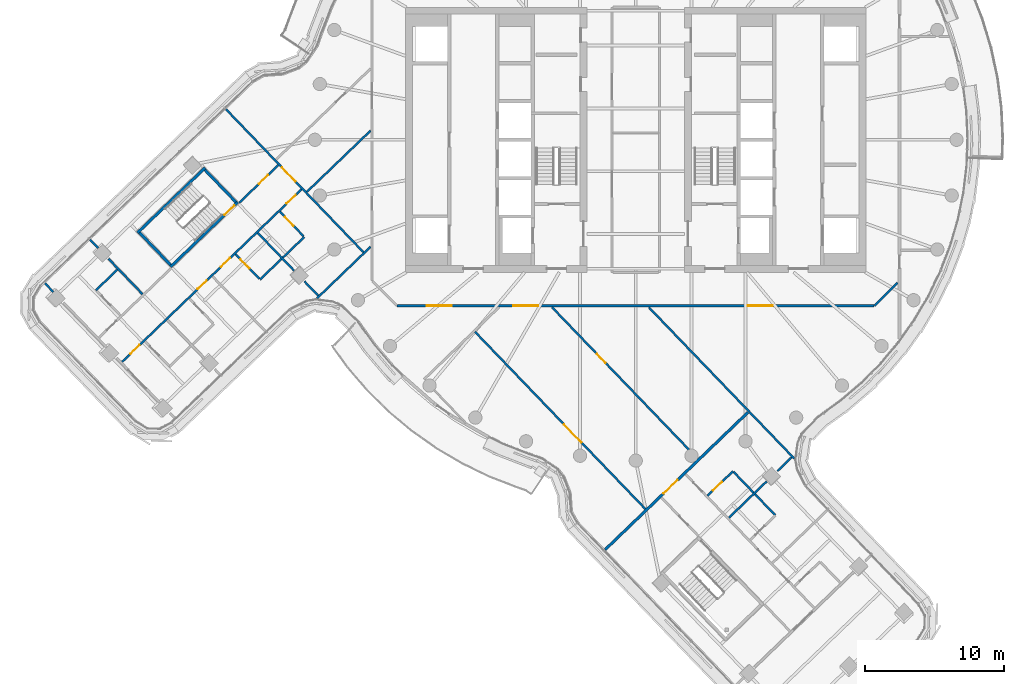
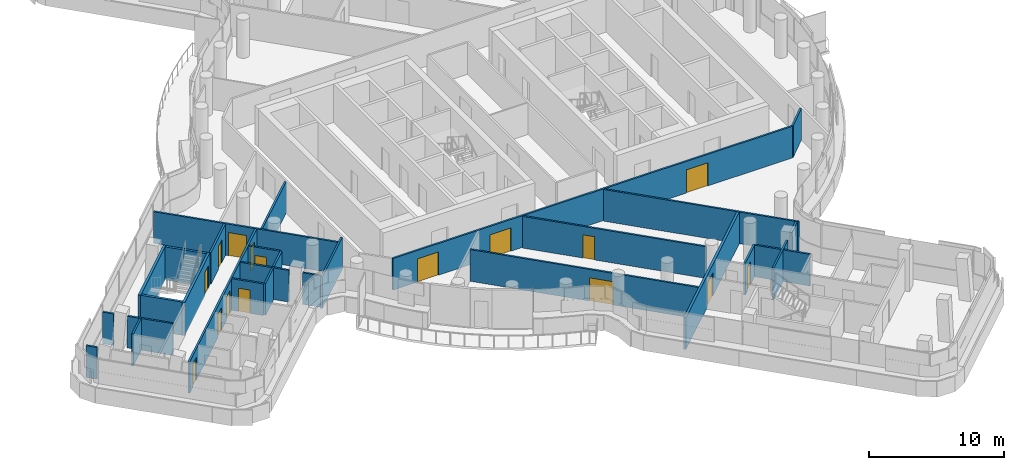
# One storey, part 21 of 34: 28 walls, 16 doors, 16 openings.
"""IFC4 building model written with IfcOpenShell, lengths in metres."""

from ifc_helpers import new_model, si_unit, direction, frame, frame_2d, origin, place, context, subcontext, project, spatial, polyline, rectangle, outline, extrude, material, layer, layer_set, type_object, element, fill, save


model = new_model("IFC4")

# Units and contexts
model_context = context("Model", 3, precision=1e-05, world=origin(), true_north=direction((0.0, 1.0)))
body_context = subcontext(model_context, "Body", "Model", "MODEL_VIEW")
ifc_project = project(units=[si_unit("LENGTHUNIT", "METRE"), si_unit("AREAUNIT", "SQUARE_METRE"), si_unit("VOLUMEUNIT", "CUBIC_METRE"), si_unit("PLANEANGLEUNIT", "RADIAN"), si_unit("MASSUNIT", "GRAM", prefix="KILO")], contexts=[model_context])

# Site, building, storey
site_placement = place(None, origin())
site = spatial("IfcSite", under=ifc_project, at=site_placement, CompositionType="ELEMENT")
building_placement = place(site_placement, origin())
building = spatial("IfcBuilding", under=site, at=building_placement, Name="Tamarind Cross Interchange Tower", CompositionType="ELEMENT")
storey_placement = place(building_placement, frame((0.0, 0.0, 193.300048828125)))
storey = spatial("IfcBuildingStorey", under=building, at=storey_placement, Name="L48", CompositionType="ELEMENT", Elevation=193.300048828125)

# Walls
ifc_material_1 = material(Name="Gypsum board partition on steel studs", Category="steel")
ifc_layer_1 = layer(ifc_material_1, 0.14990234375)
ifc_layer_set_1 = layer_set([ifc_layer_1], Name="Gypsum board partition on steel studs")
wall_type_1 = type_object("IfcWallType", Name="Partition 150 mm EI 120", PredefinedType="PARTITIONING", material=ifc_layer_set_1)
wall_1_placement = place(storey_placement, frame((-42.3564453125, -10.28271484375, 0.0), z_axis=(0.0, 0.0, 1.0), x_axis=(0.693120014491, -0.72082220104, 0.0)))
element("IfcWall", 1, at=wall_1_placement, inside=storey, type_object=wall_type_1, Name="Partition L48-001", PredefinedType="PARTITIONING", context=body_context, shape_type="SweptSolid", body=[
    extrude(rectangle(XDim=0.86376953125, YDim=0.14990234375, at=frame_2d((0.431884765625, 0.0))), origin(), (0.0, 0.0, 1.0), 2.864013671875),
])
wall_2_placement = place(storey_placement, frame((-39.11328125, -7.163818359375, 0.0), z_axis=(0.0, 0.0, 1.0), x_axis=(0.693357168812, -0.720594085777, 0.0)))
element("IfcWall", 2, at=wall_2_placement, inside=storey, type_object=wall_type_1, Name="Partition L48-005", PredefinedType="PARTITIONING", context=body_context, shape_type="SweptSolid", body=[
    extrude(rectangle(XDim=0.82470703125, YDim=0.14990234375, at=frame_2d((0.412353515625, 0.0))), origin(), (0.0, 0.0, 1.0), 2.864013671875),
])
wall_3_placement = place(storey_placement, frame((-37.804443359375, -8.52392578125, 0.0), z_axis=(0.0, 0.0, 1.0), x_axis=(0.693321447919, -0.720628454792, 0.0)))
element("IfcWall", 3, at=wall_3_placement, inside=storey, type_object=wall_type_1, Name="Partition L48-006", PredefinedType="PARTITIONING", context=body_context, shape_type="SweptSolid", body=[
    extrude(rectangle(XDim=3.531494140625, YDim=0.14990234375, at=frame_2d((1.765625, 0.0))), origin(), (0.0, 0.0, 1.0), 2.864013671875),
])

# Wall, opening, door
wall_4_placement = place(storey_placement, frame((-29.382568359375, 2.1943359375, 0.0), z_axis=(0.0, 0.0, 1.0), x_axis=(0.693158469728, -0.720785221716, 0.0)))
wall_4 = element("IfcWall", 4, at=wall_4_placement, inside=storey, type_object=wall_type_1, Name="Partition L48-013", PredefinedType="PARTITIONING", context=body_context, shape_type="SweptSolid", body=[
    extrude(rectangle(XDim=14.218994140625, YDim=0.14990234375, at=frame_2d((7.109375, 0.0))), origin(), (0.0, 0.0, 1.0), 2.864013671875),
])
opening_1_placement = place(wall_4_placement, frame((5.798583984375, 0.0, 0.0)))
opening_1 = element("IfcOpeningElement", 5, at=opening_1_placement, cuts=wall_4, Name="Opening D05", PredefinedType="OPENING", context=body_context, shape_type="SweptSolid", body=[
    extrude(rectangle(XDim=1.39990234375, YDim=2.10009765625, at=frame_2d((0.699951171875, 1.050048828125))), frame((0.0, 0.0849609375, 0.0), z_axis=(0.0, -1.0, 0.0), x_axis=(1.0, 0.0, 0.0)), (0.0, 0.0, 1.0), 0.169921875),
])
ifc_material_2 = material(Name="Fire-resisting door set")
door_type_1 = type_object("IfcDoorType", Name="Interior door 1400 x 2100 FD60S", OperationType="DOUBLE_DOOR_SINGLE_SWING", PredefinedType="DOOR", material=ifc_material_2)
door_1_placement = place(opening_1_placement, origin())
door_1 = element("IfcDoor", 6, at=door_1_placement, inside=storey, type_object=door_type_1, Name="Door D05", OperationType="DOUBLE_DOOR_SINGLE_SWING", OverallHeight=2.10009765625, OverallWidth=1.39990234375, PredefinedType="DOOR", context=body_context, shape_type="SweptSolid", body=[
    extrude(rectangle(XDim=1.39990234375, YDim=2.10009765625, at=frame_2d((0.699951171875, 1.050048828125))), frame((0.0, 0.02490234375, 0.0), z_axis=(0.0, -1.0, 0.0), x_axis=(1.0, 0.0, 0.0)), (0.0, 0.0, 1.0), 0.050048828125),
])
fill(opening_1, door_1)

wall_5_placement = place(storey_placement, frame((-28.6806640625, -8.20068359375, 0.0), z_axis=(0.0, 0.0, 1.0), x_axis=(0.69314064678, -0.720802361109, 0.0)))
wall_5 = element("IfcWall", 7, at=wall_5_placement, inside=storey, type_object=wall_type_1, Name="Partition L48-014", PredefinedType="PARTITIONING", context=body_context, shape_type="SweptSolid", body=[
    extrude(rectangle(XDim=2.44482421875, YDim=0.14990234375, at=frame_2d((1.222412109375, 0.0))), origin(), (0.0, 0.0, 1.0), 2.864013671875),
])
opening_2_placement = place(wall_5_placement, frame((0.52001953125, 0.0, 0.0)))
opening_2 = element("IfcOpeningElement", 8, at=opening_2_placement, cuts=wall_5, Name="Opening D06", PredefinedType="OPENING", context=body_context, shape_type="SweptSolid", body=[
    extrude(rectangle(XDim=0.89990234375, YDim=2.10009765625, at=frame_2d((0.449951171875, 1.050048828125))), frame((0.0, 0.0849609375, 0.0), z_axis=(0.0, -1.0, 0.0), x_axis=(1.0, 0.0, 0.0)), (0.0, 0.0, 1.0), 0.169921875),
])
door_type_2 = type_object("IfcDoorType", Name="Interior door 900 x 2100 FD60S", OperationType="SINGLE_SWING_LEFT", PredefinedType="DOOR", material=ifc_material_2)
door_2_placement = place(opening_2_placement, origin())
door_2 = element("IfcDoor", 9, at=door_2_placement, inside=storey, type_object=door_type_2, Name="Door D06", OperationType="SINGLE_SWING_RIGHT", OverallHeight=2.10009765625, OverallWidth=0.89990234375, PredefinedType="DOOR", context=body_context, shape_type="SweptSolid", body=[
    extrude(rectangle(XDim=0.89990234375, YDim=2.10009765625, at=frame_2d((0.449951171875, 1.050048828125))), frame((0.0, 0.02490234375, 0.0), z_axis=(0.0, -1.0, 0.0), x_axis=(1.0, 0.0, 0.0)), (0.0, 0.0, 1.0), 0.050048828125),
])
fill(opening_2, door_2)

# Walls
wall_6_placement = place(storey_placement, frame((-27.095458984375, -6.67578125, 0.0), z_axis=(0.0, 0.0, 1.0), x_axis=(0.693325101577, -0.720624939565, 0.0)))
element("IfcWall", 10, at=wall_6_placement, inside=storey, type_object=wall_type_1, Name="Partition L48-015", PredefinedType="PARTITIONING", context=body_context, shape_type="SweptSolid", body=[
    extrude(rectangle(XDim=3.764892578125, YDim=0.14990234375, at=frame_2d((1.88232421875, 0.0))), origin(), (0.0, 0.0, 1.0), 2.864013671875),
])
wall_7_placement = place(storey_placement, frame((-23.748291015625, -10.15478515625, 0.0), z_axis=(0.0, 0.0, 1.0), x_axis=(0.693409155662, -0.720544060308, 0.0)))
element("IfcWall", 11, at=wall_7_placement, inside=storey, type_object=wall_type_1, Name="Partition L48-016", PredefinedType="PARTITIONING", context=body_context, shape_type="SweptSolid", body=[
    extrude(rectangle(XDim=1.41259765625, YDim=0.14990234375, at=frame_2d((0.706298828125, 0.0))), origin(), (0.0, 0.0, 1.0), 2.864013671875),
])

# Wall, opening, door
wall_8_placement = place(storey_placement, frame((-25.509521484375, -5.150634765625, 0.0), z_axis=(0.0, 0.0, 1.0), x_axis=(0.69314064678, -0.720802361109, 0.0)))
wall_8 = element("IfcWall", 12, at=wall_8_placement, inside=storey, type_object=wall_type_1, Name="Partition L48-017", PredefinedType="PARTITIONING", context=body_context, shape_type="SweptSolid", body=[
    extrude(rectangle(XDim=2.44482421875, YDim=0.14990234375, at=frame_2d((1.222412109375, 0.0))), origin(), (0.0, 0.0, 1.0), 2.864013671875),
])
opening_3_placement = place(wall_8_placement, frame((0.52001953125, 0.0, 0.0)))
opening_3 = element("IfcOpeningElement", 13, at=opening_3_placement, cuts=wall_8, Name="Opening D07", PredefinedType="OPENING", context=body_context, shape_type="SweptSolid", body=[
    extrude(rectangle(XDim=0.89990234375, YDim=2.10009765625, at=frame_2d((0.449951171875, 1.050048828125))), frame((0.0, 0.0849609375, 0.0), z_axis=(0.0, -1.0, 0.0), x_axis=(1.0, 0.0, 0.0)), (0.0, 0.0, 1.0), 0.169921875),
])
door_3_placement = place(opening_3_placement, frame((0.89990234375, 0.0, 0.0), z_axis=(0.0, 0.0, 1.0), x_axis=(-1.0, 0.0, 0.0)))
door_3 = element("IfcDoor", 14, at=door_3_placement, inside=storey, type_object=door_type_2, Name="Door D07", OperationType="SINGLE_SWING_LEFT", OverallHeight=2.10009765625, OverallWidth=0.89990234375, PredefinedType="DOOR", context=body_context, shape_type="SweptSolid", body=[
    extrude(rectangle(XDim=0.89990234375, YDim=2.10009765625, at=frame_2d((0.449951171875, 1.050048828125))), frame((0.0, 0.02490234375, 0.0), z_axis=(0.0, -1.0, 0.0), x_axis=(1.0, 0.0, 0.0)), (0.0, 0.0, 1.0), 0.050048828125),
])
fill(opening_3, door_3)

wall_9_placement = place(storey_placement, frame((-11.5224609375, -13.768798828125, 0.0), z_axis=(0.0, 0.0, 1.0), x_axis=(0.693150251381, -0.720793124974, 0.0)))
wall_9 = element("IfcWall", 15, at=wall_9_placement, inside=storey, type_object=wall_type_1, Name="Partition L48-023", PredefinedType="PARTITIONING", context=body_context, shape_type="SweptSolid", body=[
    extrude(rectangle(XDim=17.61962890625, YDim=0.14990234375, at=frame_2d((8.809814453125, 0.0))), origin(), (0.0, 0.0, 1.0), 2.864013671875),
])
opening_4_placement = place(wall_9_placement, frame((9.219970703125, 0.0, 0.0)))
opening_4 = element("IfcOpeningElement", 16, at=opening_4_placement, cuts=wall_9, Name="Opening D12", PredefinedType="OPENING", context=body_context, shape_type="SweptSolid", body=[
    extrude(rectangle(XDim=1.800048828125, YDim=2.10009765625, at=frame_2d((0.89990234375, 1.050048828125))), frame((0.0, 0.0849609375, 0.0), z_axis=(0.0, -1.0, 0.0), x_axis=(1.0, 0.0, 0.0)), (0.0, 0.0, 1.0), 0.169921875),
])
door_type_3 = type_object("IfcDoorType", Name="Interior door 1800 x 2100 FD60S", OperationType="DOUBLE_DOOR_SINGLE_SWING", PredefinedType="DOOR", material=ifc_material_2)
door_4_placement = place(opening_4_placement, frame((1.800048828125, 0.0, 0.0), z_axis=(0.0, 0.0, 1.0), x_axis=(-1.0, 0.0, 0.0)))
door_4 = element("IfcDoor", 17, at=door_4_placement, inside=storey, type_object=door_type_3, Name="Door D12", OperationType="DOUBLE_DOOR_SINGLE_SWING", OverallHeight=2.10009765625, OverallWidth=1.800048828125, PredefinedType="DOOR", context=body_context, shape_type="SweptSolid", body=[
    extrude(rectangle(XDim=1.800048828125, YDim=2.10009765625, at=frame_2d((0.89990234375, 1.050048828125))), frame((0.0, 0.02490234375, 0.0), z_axis=(0.0, -1.0, 0.0), x_axis=(1.0, 0.0, 0.0)), (0.0, 0.0, 1.0), 0.050048828125),
])
fill(opening_4, door_4)

wall_10_placement = place(storey_placement, frame((-6.001953125, -12.008056640625, 0.0), z_axis=(0.0, 0.0, 1.0), x_axis=(0.693152131844, -0.720791316624, 0.0)))
wall_10 = element("IfcWall", 18, at=wall_10_placement, inside=storey, type_object=wall_type_1, Name="Partition L48-028", PredefinedType="PARTITIONING", context=body_context, shape_type="SweptSolid", body=[
    extrude(rectangle(XDim=14.159423828125, YDim=0.14990234375, at=frame_2d((7.07958984375, 0.0))), origin(), (0.0, 0.0, 1.0), 2.864013671875),
])
opening_5_placement = place(wall_10_placement, frame((4.64990234375, 0.0, 0.0)))
opening_5 = element("IfcOpeningElement", 19, at=opening_5_placement, cuts=wall_10, Name="Opening D15", PredefinedType="OPENING", context=body_context, shape_type="SweptSolid", body=[
    extrude(rectangle(XDim=0.89990234375, YDim=2.10009765625, at=frame_2d((0.449951171875, 1.050048828125))), frame((0.0, 0.0849609375, 0.0), z_axis=(0.0, -1.0, 0.0), x_axis=(1.0, 0.0, 0.0)), (0.0, 0.0, 1.0), 0.169921875),
])
door_5_placement = place(opening_5_placement, origin())
door_5 = element("IfcDoor", 20, at=door_5_placement, inside=storey, type_object=door_type_2, Name="Door D15", OperationType="SINGLE_SWING_RIGHT", OverallHeight=2.10009765625, OverallWidth=0.89990234375, PredefinedType="DOOR", context=body_context, shape_type="SweptSolid", body=[
    extrude(rectangle(XDim=0.89990234375, YDim=2.10009765625, at=frame_2d((0.449951171875, 1.050048828125))), frame((0.0, 0.02490234375, 0.0), z_axis=(0.0, -1.0, 0.0), x_axis=(1.0, 0.0, 0.0)), (0.0, 0.0, 1.0), 0.050048828125),
])
fill(opening_5, door_5)

# Walls
wall_11_placement = place(storey_placement, frame((0.93505859375, -12.008056640625, 0.0), z_axis=(0.0, 0.0, 1.0), x_axis=(0.693163548461, -0.72078033761, 0.0)))
element("IfcWall", 21, at=wall_11_placement, inside=storey, type_object=wall_type_1, Name="Partition L48-033", PredefinedType="PARTITIONING", context=body_context, shape_type="SweptSolid", body=[
    extrude(rectangle(XDim=15.037353515625, YDim=0.14990234375, at=frame_2d((7.5185546875, 0.0))), origin(), (0.0, 0.0, 1.0), 2.864013671875),
])
wall_12_placement = place(storey_placement, frame((6.99462890625, -23.791748046875, 0.0), z_axis=(0.0, 0.0, 1.0), x_axis=(0.693326664986, -0.72062343538, 0.0)))
element("IfcWall", 22, at=wall_12_placement, inside=storey, type_object=wall_type_1, Name="Partition L48-038", PredefinedType="PARTITIONING", context=body_context, shape_type="SweptSolid", body=[
    extrude(rectangle(XDim=4.31982421875, YDim=0.14990234375, at=frame_2d((2.159912109375, 0.0))), origin(), (0.0, 0.0, 1.0), 2.864013671875),
])

# Wall, openings, doors
wall_13_placement = place(storey_placement, frame((-17.10009765625, -11.89990234375, 0.0), z_axis=(0.0, 0.0, 1.0), x_axis=(1.0, 0.0, 0.0)))
wall_13 = element("IfcWall", 23, at=wall_13_placement, inside=storey, type_object=wall_type_1, Name="Partition L48-043", PredefinedType="PARTITIONING", context=body_context, shape_type="SweptSolid", body=[
    extrude(rectangle(XDim=34.1650390625, YDim=0.14990234375, at=frame_2d((17.08251953125, 0.0))), origin(), (0.0, 0.0, 1.0), 2.864013671875),
])
opening_6_placement = place(wall_13_placement, frame((8.304931640625, 0.0, 0.0)))
opening_6 = element("IfcOpeningElement", 24, at=opening_6_placement, cuts=wall_13, Name="Opening D23", PredefinedType="OPENING", context=body_context, shape_type="SweptSolid", body=[
    extrude(rectangle(XDim=1.800048828125, YDim=2.10009765625, at=frame_2d((0.89990234375, 1.050048828125))), frame((0.0, 0.0849609375, 0.0), z_axis=(0.0, -1.0, 0.0), x_axis=(1.0, 0.0, 0.0)), (0.0, 0.0, 1.0), 0.169921875),
])
opening_7_placement = place(wall_13_placement, frame((2.10009765625, 0.0, 0.0)))
opening_7 = element("IfcOpeningElement", 25, at=opening_7_placement, cuts=wall_13, Name="Opening D24", PredefinedType="OPENING", context=body_context, shape_type="SweptSolid", body=[
    extrude(rectangle(XDim=1.800048828125, YDim=2.10009765625, at=frame_2d((0.89990234375, 1.050048828125))), frame((0.0, 0.0849609375, 0.0), z_axis=(0.0, -1.0, 0.0), x_axis=(1.0, 0.0, 0.0)), (0.0, 0.0, 1.0), 0.169921875),
])
opening_8_placement = place(wall_13_placement, frame((25.131103515625, 0.0, 0.0)))
opening_8 = element("IfcOpeningElement", 26, at=opening_8_placement, cuts=wall_13, Name="Opening D25", PredefinedType="OPENING", context=body_context, shape_type="SweptSolid", body=[
    extrude(rectangle(XDim=1.800048828125, YDim=2.10009765625, at=frame_2d((0.89990234375, 1.050048828125))), frame((0.0, 0.0849609375, 0.0), z_axis=(0.0, -1.0, 0.0), x_axis=(1.0, 0.0, 0.0)), (0.0, 0.0, 1.0), 0.169921875),
])
door_6_placement = place(opening_6_placement, origin())
door_6 = element("IfcDoor", 27, at=door_6_placement, inside=storey, type_object=door_type_3, Name="Door D23", OperationType="DOUBLE_DOOR_SINGLE_SWING", OverallHeight=2.10009765625, OverallWidth=1.800048828125, PredefinedType="DOOR", context=body_context, shape_type="SweptSolid", body=[
    extrude(rectangle(XDim=1.800048828125, YDim=2.10009765625, at=frame_2d((0.89990234375, 1.050048828125))), frame((0.0, 0.02490234375, 0.0), z_axis=(0.0, -1.0, 0.0), x_axis=(1.0, 0.0, 0.0)), (0.0, 0.0, 1.0), 0.050048828125),
])
fill(opening_6, door_6)
door_7_placement = place(opening_7_placement, frame((1.800048828125, 0.0, 0.0), z_axis=(0.0, 0.0, 1.0), x_axis=(-1.0, 0.0, 0.0)))
door_7 = element("IfcDoor", 28, at=door_7_placement, inside=storey, type_object=door_type_3, Name="Door D24", OperationType="DOUBLE_DOOR_SINGLE_SWING", OverallHeight=2.10009765625, OverallWidth=1.800048828125, PredefinedType="DOOR", context=body_context, shape_type="SweptSolid", body=[
    extrude(rectangle(XDim=1.800048828125, YDim=2.10009765625, at=frame_2d((0.89990234375, 1.050048828125))), frame((0.0, 0.02490234375, 0.0), z_axis=(0.0, -1.0, 0.0), x_axis=(1.0, 0.0, 0.0)), (0.0, 0.0, 1.0), 0.050048828125),
])
fill(opening_7, door_7)
door_8_placement = place(opening_8_placement, origin())
door_8 = element("IfcDoor", 29, at=door_8_placement, inside=storey, type_object=door_type_3, Name="Door D25", OperationType="DOUBLE_DOOR_SINGLE_SWING", OverallHeight=2.10009765625, OverallWidth=1.800048828125, PredefinedType="DOOR", context=body_context, shape_type="SweptSolid", body=[
    extrude(rectangle(XDim=1.800048828125, YDim=2.10009765625, at=frame_2d((0.89990234375, 1.050048828125))), frame((0.0, 0.02490234375, 0.0), z_axis=(0.0, -1.0, 0.0), x_axis=(1.0, 0.0, 0.0)), (0.0, 0.0, 1.0), 0.050048828125),
])
fill(opening_8, door_8)

# Wall
wall_14_placement = place(storey_placement, frame((-38.68896484375, -10.778076171875, 0.0), z_axis=(0.0, 0.0, 1.0), x_axis=(0.720788812094, 0.693154736231, 0.0)))
element("IfcWall", 30, at=wall_14_placement, inside=storey, type_object=wall_type_1, Name="Partition L48-052", PredefinedType="PARTITIONING", context=body_context, shape_type="SweptSolid", body=[
    extrude(rectangle(XDim=2.120361328125, YDim=0.14990234375, at=frame_2d((1.06005859375, 0.0))), origin(), (0.0, 0.0, 1.0), 2.864013671875),
])

# Wall, opening, door
wall_15_placement = place(storey_placement, frame((-28.42529296875, -4.513916015625, 0.0), z_axis=(0.0, 0.0, 1.0), x_axis=(0.720783488791, 0.693160271717, 0.0)))
wall_15 = element("IfcWall", 31, at=wall_15_placement, inside=storey, type_object=wall_type_1, Name="Partition L48-054", PredefinedType="PARTITIONING", context=body_context, shape_type="SweptSolid", body=[
    extrude(rectangle(XDim=3.8798828125, YDim=0.14990234375, at=frame_2d((1.93994140625, 0.0))), origin(), (0.0, 0.0, 1.0), 2.864013671875),
])
opening_9_placement = place(wall_15_placement, frame((1.949951171875, 0.0, 0.0)))
opening_9 = element("IfcOpeningElement", 32, at=opening_9_placement, cuts=wall_15, Name="Opening D30", PredefinedType="OPENING", context=body_context, shape_type="SweptSolid", body=[
    extrude(rectangle(XDim=0.89990234375, YDim=2.10009765625, at=frame_2d((0.449951171875, 1.050048828125))), frame((0.0, 0.0849609375, 0.0), z_axis=(0.0, -1.0, 0.0), x_axis=(1.0, 0.0, 0.0)), (0.0, 0.0, 1.0), 0.169921875),
])
door_9_placement = place(opening_9_placement, origin())
door_9 = element("IfcDoor", 33, at=door_9_placement, inside=storey, type_object=door_type_2, Name="Door D30", OperationType="SINGLE_SWING_LEFT", OverallHeight=2.10009765625, OverallWidth=0.89990234375, PredefinedType="DOOR", context=body_context, shape_type="SweptSolid", body=[
    extrude(rectangle(XDim=0.89990234375, YDim=2.10009765625, at=frame_2d((0.449951171875, 1.050048828125))), frame((0.0, 0.02490234375, 0.0), z_axis=(0.0, -1.0, 0.0), x_axis=(1.0, 0.0, 0.0)), (0.0, 0.0, 1.0), 0.050048828125),
])
fill(opening_9, door_9)

# Wall, openings, doors
wall_16_placement = place(storey_placement, frame((-36.8232421875, -15.920654296875, 0.0), z_axis=(0.0, 0.0, 1.0), x_axis=(0.720874087255, 0.693066050477, 0.0)))
wall_16 = element("IfcWall", 34, at=wall_16_placement, inside=storey, type_object=wall_type_1, Name="Partition L48-055", PredefinedType="PARTITIONING", context=body_context, shape_type="SweptSolid", body=[
    extrude(rectangle(XDim=17.83984375, YDim=0.14990234375, at=frame_2d((8.919921875, 0.0))), origin(), (0.0, 0.0, 1.0), 2.864013671875),
])
opening_10_placement = place(wall_16_placement, frame((16.3701171875, 0.0, 0.0)))
opening_10 = element("IfcOpeningElement", 35, at=opening_10_placement, cuts=wall_16, Name="Opening D31", PredefinedType="OPENING", context=body_context, shape_type="SweptSolid", body=[
    extrude(rectangle(XDim=0.89990234375, YDim=2.10009765625, at=frame_2d((0.449951171875, 1.050048828125))), frame((0.0, 0.0849609375, 0.0), z_axis=(0.0, -1.0, 0.0), x_axis=(1.0, 0.0, 0.0)), (0.0, 0.0, 1.0), 0.169921875),
])
opening_11_placement = place(wall_16_placement, frame((9.819580078125, 0.0, 0.0)))
opening_11 = element("IfcOpeningElement", 36, at=opening_11_placement, cuts=wall_16, Name="Opening D32", PredefinedType="OPENING", context=body_context, shape_type="SweptSolid", body=[
    extrude(rectangle(XDim=0.89990234375, YDim=2.10009765625, at=frame_2d((0.449951171875, 1.050048828125))), frame((0.0, 0.0849609375, 0.0), z_axis=(0.0, -1.0, 0.0), x_axis=(1.0, 0.0, 0.0)), (0.0, 0.0, 1.0), 0.169921875),
])
opening_12_placement = place(wall_16_placement, frame((7.519775390625, 0.0, 0.0)))
opening_12 = element("IfcOpeningElement", 37, at=opening_12_placement, cuts=wall_16, Name="Opening D33", PredefinedType="OPENING", context=body_context, shape_type="SweptSolid", body=[
    extrude(rectangle(XDim=0.89990234375, YDim=2.10009765625, at=frame_2d((0.449951171875, 1.050048828125))), frame((0.0, 0.0849609375, 0.0), z_axis=(0.0, -1.0, 0.0), x_axis=(1.0, 0.0, 0.0)), (0.0, 0.0, 1.0), 0.169921875),
])
opening_13_placement = place(wall_16_placement, frame((0.820068359375, 0.0, 0.0)))
opening_13 = element("IfcOpeningElement", 38, at=opening_13_placement, cuts=wall_16, Name="Opening D34", PredefinedType="OPENING", context=body_context, shape_type="SweptSolid", body=[
    extrude(rectangle(XDim=0.89990234375, YDim=2.10009765625, at=frame_2d((0.449951171875, 1.050048828125))), frame((0.0, 0.0849609375, 0.0), z_axis=(0.0, -1.0, 0.0), x_axis=(1.0, 0.0, 0.0)), (0.0, 0.0, 1.0), 0.169921875),
])
door_10_placement = place(opening_10_placement, frame((0.89990234375, 0.0, 0.0), z_axis=(0.0, 0.0, 1.0), x_axis=(-1.0, 0.0, 0.0)))
door_10 = element("IfcDoor", 39, at=door_10_placement, inside=storey, type_object=door_type_2, Name="Door D31", OperationType="SINGLE_SWING_RIGHT", OverallHeight=2.10009765625, OverallWidth=0.89990234375, PredefinedType="DOOR", context=body_context, shape_type="SweptSolid", body=[
    extrude(rectangle(XDim=0.89990234375, YDim=2.10009765625, at=frame_2d((0.449951171875, 1.050048828125))), frame((0.0, 0.02490234375, 0.0), z_axis=(0.0, -1.0, 0.0), x_axis=(1.0, 0.0, 0.0)), (0.0, 0.0, 1.0), 0.050048828125),
])
fill(opening_10, door_10)
door_11_placement = place(opening_11_placement, frame((0.89990234375, 0.0, 0.0), z_axis=(0.0, 0.0, 1.0), x_axis=(-1.0, 0.0, 0.0)))
door_11 = element("IfcDoor", 40, at=door_11_placement, inside=storey, type_object=door_type_2, Name="Door D32", OperationType="SINGLE_SWING_RIGHT", OverallHeight=2.10009765625, OverallWidth=0.89990234375, PredefinedType="DOOR", context=body_context, shape_type="SweptSolid", body=[
    extrude(rectangle(XDim=0.89990234375, YDim=2.10009765625, at=frame_2d((0.449951171875, 1.050048828125))), frame((0.0, 0.02490234375, 0.0), z_axis=(0.0, -1.0, 0.0), x_axis=(1.0, 0.0, 0.0)), (0.0, 0.0, 1.0), 0.050048828125),
])
fill(opening_11, door_11)
door_12_placement = place(opening_12_placement, frame((0.89990234375, 0.0, 0.0), z_axis=(0.0, 0.0, 1.0), x_axis=(-1.0, 0.0, 0.0)))
door_12 = element("IfcDoor", 41, at=door_12_placement, inside=storey, type_object=door_type_2, Name="Door D33", OperationType="SINGLE_SWING_LEFT", OverallHeight=2.10009765625, OverallWidth=0.89990234375, PredefinedType="DOOR", context=body_context, shape_type="SweptSolid", body=[
    extrude(rectangle(XDim=0.89990234375, YDim=2.10009765625, at=frame_2d((0.449951171875, 1.050048828125))), frame((0.0, 0.02490234375, 0.0), z_axis=(0.0, -1.0, 0.0), x_axis=(1.0, 0.0, 0.0)), (0.0, 0.0, 1.0), 0.050048828125),
])
fill(opening_12, door_12)
door_13_placement = place(opening_13_placement, frame((0.89990234375, 0.0, 0.0), z_axis=(0.0, 0.0, 1.0), x_axis=(-1.0, 0.0, 0.0)))
door_13 = element("IfcDoor", 42, at=door_13_placement, inside=storey, type_object=door_type_2, Name="Door D34", OperationType="SINGLE_SWING_LEFT", OverallHeight=2.10009765625, OverallWidth=0.89990234375, PredefinedType="DOOR", context=body_context, shape_type="SweptSolid", body=[
    extrude(rectangle(XDim=0.89990234375, YDim=2.10009765625, at=frame_2d((0.449951171875, 1.050048828125))), frame((0.0, 0.02490234375, 0.0), z_axis=(0.0, -1.0, 0.0), x_axis=(1.0, 0.0, 0.0)), (0.0, 0.0, 1.0), 0.050048828125),
])
fill(opening_13, door_13)

# Walls
wall_17_placement = place(storey_placement, frame((-26.933349609375, -10.017822265625, 0.0), z_axis=(0.0, 0.0, 1.0), x_axis=(0.720842661117, 0.693098736049, 0.0)))
element("IfcWall", 43, at=wall_17_placement, inside=storey, type_object=wall_type_1, Name="Partition L48-057", PredefinedType="PARTITIONING", context=body_context, shape_type="SweptSolid", body=[
    extrude(rectangle(XDim=4.39990234375, YDim=0.14990234375, at=frame_2d((2.199951171875, 0.0))), origin(), (0.0, 0.0, 1.0), 2.864013671875),
])
wall_18_placement = place(storey_placement, frame((-23.572265625, -3.731689453125, 0.0), z_axis=(0.0, 0.0, 1.0), x_axis=(0.720832323981, 0.693109486809, 0.0)))
element("IfcWall", 44, at=wall_18_placement, inside=storey, type_object=wall_type_1, Name="Partition L48-059", PredefinedType="PARTITIONING", context=body_context, shape_type="SweptSolid", body=[
    extrude(rectangle(XDim=6.331787109375, YDim=0.14990234375, at=frame_2d((3.166015625, 0.0))), origin(), (0.0, 0.0, 1.0), 2.864013671875),
])
wall_19_placement = place(storey_placement, frame((-22.846435546875, -11.3583984375, 0.0), z_axis=(0.0, 0.0, 1.0), x_axis=(0.720771395378, 0.693172846846, 0.0)))
element("IfcWall", 45, at=wall_19_placement, inside=storey, type_object=wall_type_1, Name="Partition L48-060", PredefinedType="PARTITIONING", context=body_context, shape_type="SweptSolid", body=[
    extrude(rectangle(XDim=5.325439453125, YDim=0.14990234375, at=frame_2d((2.66259765625, 0.0))), origin(), (0.0, 0.0, 1.0), 2.864013671875),
])

# Wall, opening, door
wall_20_placement = place(storey_placement, frame((5.150634765625, -25.509521484375, 0.0), z_axis=(0.0, 0.0, 1.0), x_axis=(0.720825617884, 0.693116461067, 0.0)))
wall_20 = element("IfcWall", 46, at=wall_20_placement, inside=storey, type_object=wall_type_1, Name="Partition L48-080", PredefinedType="PARTITIONING", context=body_context, shape_type="SweptSolid", body=[
    extrude(rectangle(XDim=2.519775390625, YDim=0.14990234375, at=frame_2d((1.259765625, 0.0))), origin(), (0.0, 0.0, 1.0), 2.864013671875),
])
opening_14_placement = place(wall_20_placement, frame((0.52001953125, 0.0, 0.0)))
opening_14 = element("IfcOpeningElement", 47, at=opening_14_placement, cuts=wall_20, Name="Opening D45", PredefinedType="OPENING", context=body_context, shape_type="SweptSolid", body=[
    extrude(rectangle(XDim=0.89990234375, YDim=2.10009765625, at=frame_2d((0.449951171875, 1.050048828125))), frame((0.0, 0.0849609375, 0.0), z_axis=(0.0, -1.0, 0.0), x_axis=(1.0, 0.0, 0.0)), (0.0, 0.0, 1.0), 0.169921875),
])
door_14_placement = place(opening_14_placement, frame((0.89990234375, 0.0, 0.0), z_axis=(0.0, 0.0, 1.0), x_axis=(-1.0, 0.0, 0.0)))
door_14 = element("IfcDoor", 48, at=door_14_placement, inside=storey, type_object=door_type_2, Name="Door D45", OperationType="SINGLE_SWING_LEFT", OverallHeight=2.10009765625, OverallWidth=0.89990234375, PredefinedType="DOOR", context=body_context, shape_type="SweptSolid", body=[
    extrude(rectangle(XDim=0.89990234375, YDim=2.10009765625, at=frame_2d((0.449951171875, 1.050048828125))), frame((0.0, 0.02490234375, 0.0), z_axis=(0.0, -1.0, 0.0), x_axis=(1.0, 0.0, 0.0)), (0.0, 0.0, 1.0), 0.050048828125),
])
fill(opening_14, door_14)

# Walls
wall_21_placement = place(storey_placement, frame((6.67578125, -27.095458984375, 0.0), z_axis=(0.0, 0.0, 1.0), x_axis=(0.720624939565, 0.693325101577, 0.0)))
element("IfcWall", 49, at=wall_21_placement, inside=storey, type_object=wall_type_1, Name="Partition L48-081", PredefinedType="PARTITIONING", context=body_context, shape_type="SweptSolid", body=[
    extrude(rectangle(XDim=3.764892578125, YDim=0.14990234375, at=frame_2d((1.88232421875, 0.0))), origin(), (0.0, 0.0, 1.0), 2.864013671875),
])
wall_22_placement = place(storey_placement, frame((10.15478515625, -23.748291015625, 0.0), z_axis=(0.0, 0.0, 1.0), x_axis=(0.720544060308, 0.693409155662, 0.0)))
element("IfcWall", 50, at=wall_22_placement, inside=storey, type_object=wall_type_1, Name="Partition L48-082", PredefinedType="PARTITIONING", context=body_context, shape_type="SweptSolid", body=[
    extrude(rectangle(XDim=1.41259765625, YDim=0.14990234375, at=frame_2d((0.706298828125, 0.0))), origin(), (0.0, 0.0, 1.0), 2.864013671875),
])
wall_23_placement = place(storey_placement, frame((17.10009765625, -11.89990234375, 0.0), z_axis=(0.0, 0.0, 1.0), x_axis=(0.707106781187, 0.707106781187, 0.0)))
element("IfcWall", 51, at=wall_23_placement, inside=storey, type_object=wall_type_1, Name="Partition L48-091", PredefinedType="PARTITIONING", context=body_context, shape_type="SweptSolid", body=[
    extrude(rectangle(XDim=2.35546875, YDim=0.14990234375, at=frame_2d((1.177734375, 0.0))), origin(), (0.0, 0.0, 1.0), 2.864013671875),
])

# Wall, opening, door
ifc_layer_2 = layer(ifc_material_1, 0.199951171875)
ifc_layer_set_2 = layer_set([ifc_layer_2], Name="Gypsum board partition on steel studs")
wall_type_2 = type_object("IfcWallType", Name="Partition 200 mm EI 180", PredefinedType="PARTITIONING", material=ifc_layer_set_2)
wall_24_placement = place(storey_placement, frame((-2.1943359375, -29.382568359375, 0.0), z_axis=(0.0, 0.0, 1.0), x_axis=(0.720785221716, 0.693158469728, 0.0)))
wall_24 = element("IfcWall", 52, at=wall_24_placement, inside=storey, type_object=wall_type_2, Name="Partition L48-079", PredefinedType="PARTITIONING", context=body_context, shape_type="SweptSolid", body=[
    extrude(rectangle(XDim=14.218994140625, YDim=0.199951171875, at=frame_2d((7.109375, 0.0))), origin(), (0.0, 0.0, 1.0), 2.864013671875),
])
opening_15_placement = place(wall_24_placement, frame((5.798583984375, 0.0, 0.0)))
opening_15 = element("IfcOpeningElement", 53, at=opening_15_placement, cuts=wall_24, Name="Opening D44", PredefinedType="OPENING", context=body_context, shape_type="SweptSolid", body=[
    extrude(rectangle(XDim=1.39990234375, YDim=2.10009765625, at=frame_2d((0.699951171875, 1.050048828125))), frame((0.0, 0.10986328125, 0.0), z_axis=(0.0, -1.0, 0.0), x_axis=(1.0, 0.0, 0.0)), (0.0, 0.0, 1.0), 0.219970703125),
])
door_type_4 = type_object("IfcDoorType", Name="Interior door 1400 x 2100 FD120S", OperationType="DOUBLE_DOOR_SINGLE_SWING", PredefinedType="DOOR", material=ifc_material_2)
door_15_placement = place(opening_15_placement, origin())
door_15 = element("IfcDoor", 54, at=door_15_placement, inside=storey, type_object=door_type_4, Name="Door D44", OperationType="DOUBLE_DOOR_SINGLE_SWING", OverallHeight=2.10009765625, OverallWidth=1.39990234375, PredefinedType="DOOR", context=body_context, shape_type="SweptSolid", body=[
    extrude(rectangle(XDim=1.39990234375, YDim=2.10009765625, at=frame_2d((0.699951171875, 1.050048828125))), frame((0.0, 0.02490234375, 0.0), z_axis=(0.0, -1.0, 0.0), x_axis=(1.0, 0.0, 0.0)), (0.0, 0.0, 1.0), 0.050048828125),
])
fill(opening_15, door_15)

ifc_material_3 = material(Name="Concrete C40", Category="concrete")
ifc_layer_3 = layer(ifc_material_3, 0.199951171875)
ifc_layer_set_3 = layer_set([ifc_layer_3], Name="Concrete C40")
wall_type_3 = type_object("IfcWallType", Name="Stair shaft wall 200 mm Concrete C40", PredefinedType="SHEAR", material=ifc_layer_set_3)
wall_25_placement = place(storey_placement, frame((-28.523193359375, -4.4697265625, -0.14013671875), z_axis=(0.0, 0.0, 1.0), x_axis=(-0.720764440557, -0.693180078499, 0.0)))
wall_25 = element("IfcWall", 55, at=wall_25_placement, inside=storey, type_object=wall_type_3, Name="Core wall CWL-L48-ST5-H", PredefinedType="SHEAR", context=body_context, shape_type="SweptSolid", body=[
    extrude(rectangle(XDim=6.699951171875, YDim=0.199951171875, at=frame_2d((3.35009765625, 0.0))), origin(), (0.0, 0.0, 1.0), 3.004150390625),
])
opening_16_placement = place(wall_25_placement, frame((0.35009765625, 0.0, 0.0)))
opening_16 = element("IfcOpeningElement", 56, at=opening_16_placement, cuts=wall_25, Name="Opening ST5L48", PredefinedType="OPENING", context=body_context, shape_type="SweptSolid", body=[
    extrude(rectangle(XDim=1.0, YDim=2.10009765625, at=frame_2d((0.5, 1.050048828125))), frame((0.0, 0.10986328125, 0.0), z_axis=(0.0, -1.0, 0.0), x_axis=(1.0, 0.0, 0.0)), (0.0, 0.0, 1.0), 0.219970703125),
])
ifc_material_4 = material(Name="Steel, fire-resisting", Category="steel")
door_type_5 = type_object("IfcDoorType", Name="Core fire door 1000 x 2100 FD90", OperationType="SINGLE_SWING_LEFT", PredefinedType="DOOR", material=ifc_material_4)
door_16_placement = place(opening_16_placement, origin())
door_16 = element("IfcDoor", 57, at=door_16_placement, inside=storey, type_object=door_type_5, Name="L48 stair door ST5", OperationType="SINGLE_SWING_LEFT", OverallHeight=2.10009765625, OverallWidth=1.0, PredefinedType="DOOR", context=body_context, shape_type="SweptSolid", body=[
    extrude(rectangle(XDim=1.0, YDim=2.10009765625, at=frame_2d((0.5, 1.050048828125))), frame((0.0, 0.02490234375, 0.0), z_axis=(0.0, -1.0, 0.0), x_axis=(1.0, 0.0, 0.0)), (0.0, 0.0, 1.0), 0.050048828125),
])
fill(opening_16, door_16)

# Walls
wall_26_placement = place(storey_placement, frame((-30.8798828125, -2.01904296875, -0.14013671875), z_axis=(0.0, 0.0, 1.0), x_axis=(-0.720764440557, -0.693180078499, 0.0)))
element("IfcWall", 58, at=wall_26_placement, inside=storey, type_object=wall_type_3, Name="Core wall CWL-L48-ST5-C", PredefinedType="SHEAR", context=body_context, shape_type="SweptSolid", body=[
    extrude(rectangle(XDim=6.699951171875, YDim=0.199951171875, at=frame_2d((3.35009765625, 0.0))), origin(), (0.0, 0.0, 1.0), 3.004150390625),
])
wall_27_placement = place(storey_placement, frame((-30.8828125, -2.160400390625, -0.14013671875), z_axis=(0.0, 0.0, 1.0), x_axis=(0.693163600241, -0.720780287814, 0.0)))
element("IfcWall", 59, at=wall_27_placement, inside=storey, type_object=wall_type_3, Name="Core wall CWL-L48-ST5-CE", PredefinedType="SHEAR", context=body_context, shape_type="SweptSolid", body=[
    extrude(rectangle(XDim=3.2001953125, YDim=0.199951171875, at=frame_2d((1.60009765625, 0.0))), origin(), (0.0, 0.0, 1.0), 3.004150390625),
])
wall_28_placement = place(storey_placement, frame((0.0, 0.0, -0.14013671875)))
element("IfcWall", 60, at=wall_28_placement, inside=storey, type_object=wall_type_3, Name="Core wall CWL-L48-ST5-CF", PredefinedType="SHEAR", context=body_context, shape_type="SweptSolid", body=[
    extrude(outline(polyline([(-35.49560546875, -6.5966796875), (-35.639892578125, -6.7353515625), (-33.421630859375, -9.0419921875), (-33.277587890625, -8.9033203125), (-35.49560546875, -6.5966796875)])), origin(), (0.0, 0.0, 1.0), 3.004150390625),
])

save(model, "model.ifc")
